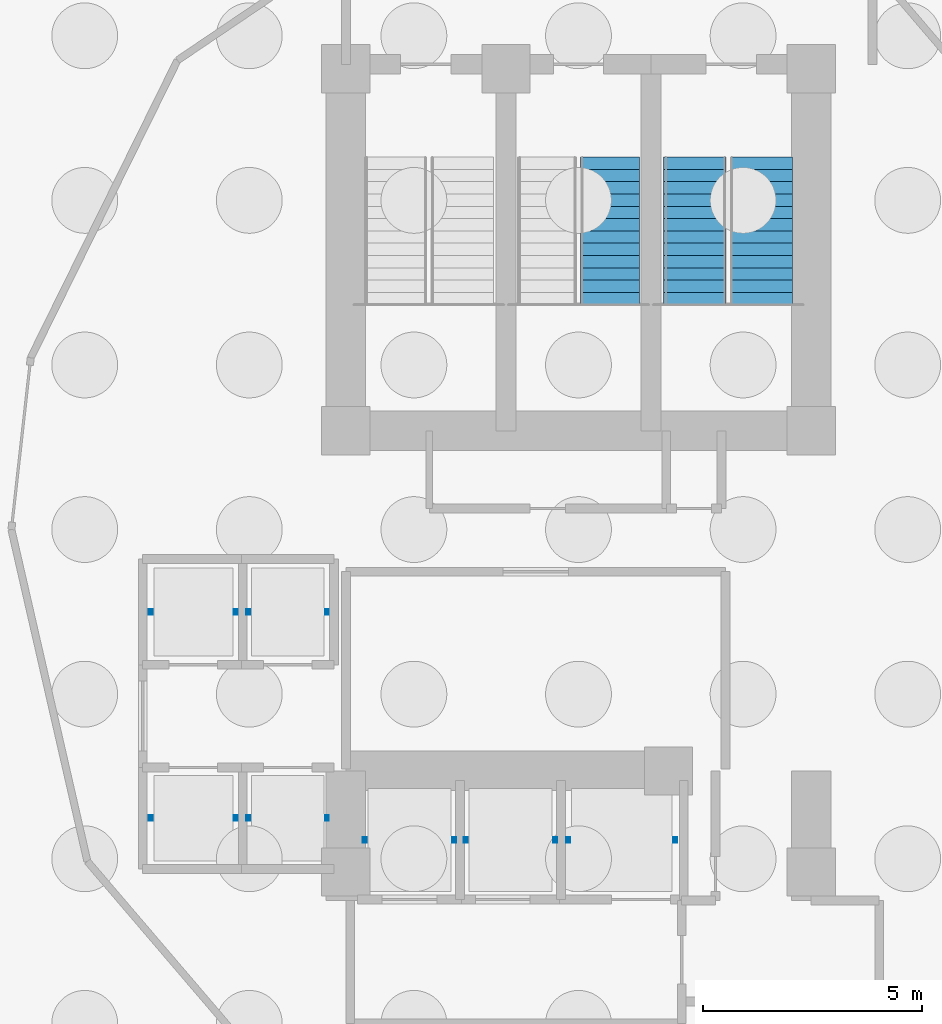
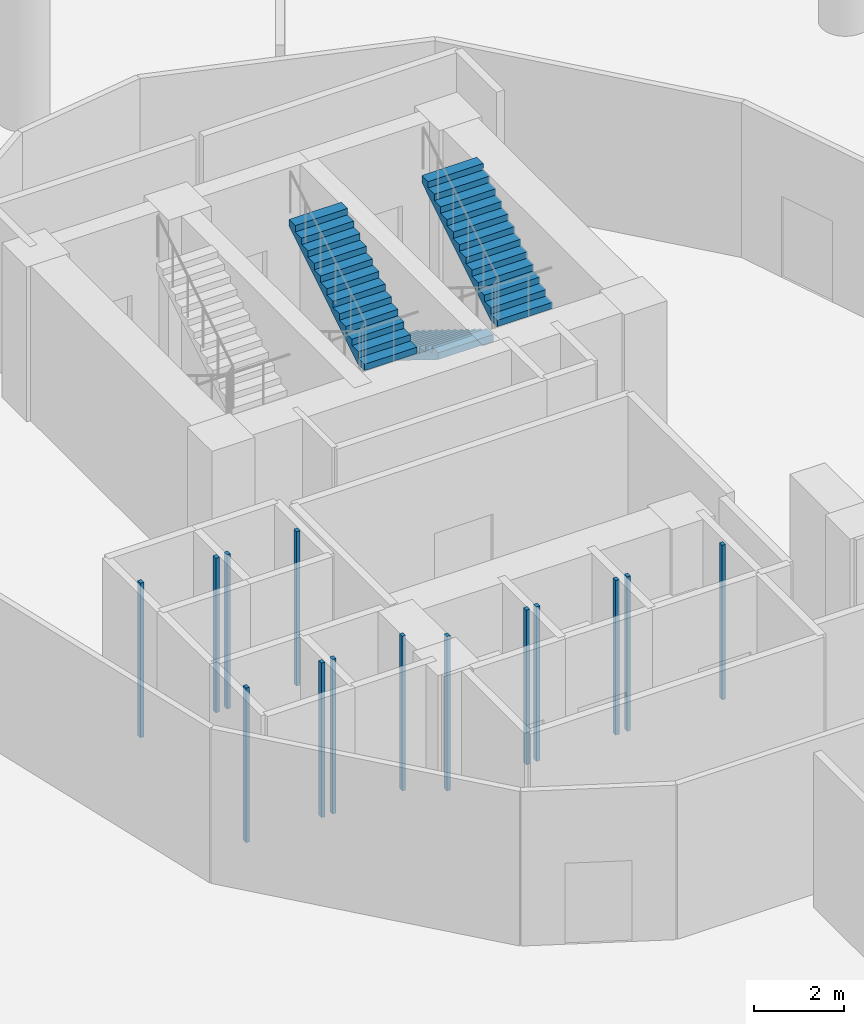
# One storey, part 6 of 9: 7 discrete accessories, 3 stair flights, 2 elements without a shape of their own.
"""IFC4 building model written with IfcOpenShell, lengths in metres."""

from ifc_helpers import new_model, si_unit, direction, frame, origin, origin_2d, place, context, subcontext, project, spatial, polyline, rectangle, outline, extrude, material, type_object, element, aggregate, save


model = new_model("IFC4")

# Units and contexts
model_context = context("Model", 3, precision=1e-05, world=origin(), true_north=direction((0.0, 1.0)))
body_context = subcontext(model_context, "Body", "Model", "MODEL_VIEW")
ifc_project = project(units=[si_unit("LENGTHUNIT", "METRE"), si_unit("AREAUNIT", "SQUARE_METRE"), si_unit("VOLUMEUNIT", "CUBIC_METRE"), si_unit("PLANEANGLEUNIT", "RADIAN"), si_unit("MASSUNIT", "GRAM", prefix="KILO")], contexts=[model_context])

# Site, building, storey
site_placement = place(None, origin())
site = spatial("IfcSite", under=ifc_project, at=site_placement, CompositionType="ELEMENT")
building_placement = place(site_placement, origin())
building = spatial("IfcBuilding", under=site, at=building_placement, Name="Nuhasar Tower", CompositionType="ELEMENT")
storey_placement = place(building_placement, frame((0.0, 0.0, -9.0)))
storey = spatial("IfcBuildingStorey", under=building, at=storey_placement, Name="B2", CompositionType="ELEMENT", Elevation=-9.0)

# Stair, stair flights
ifc_material_1 = material(Name="Concrete C45/55", Category="concrete")
stair_type_1 = type_object("IfcStairType", Name="STR-ST-02-2F-26R-1731", PredefinedType="HALF_TURN_STAIR", material=ifc_material_1)
stair_1_placement = place(storey_placement, origin())
stair_1 = element("IfcStair", 1, at=stair_1_placement, inside=storey, type_object=stair_type_1, Name="B2 Exit Stair ST-02", PredefinedType="HALF_TURN_STAIR")
stair_flight_type_1 = type_object("IfcStairFlightType", Name="SFL-ST-02-13R-1731", PredefinedType="STRAIGHT", material=ifc_material_1)
stair_flight_1_placement = place(storey_placement, frame((41.64990234375, 35.284912109375, 0.0), z_axis=(0.0, 0.0, 1.0), x_axis=(0.0, -1.0, 0.0)))
stair_flight_1 = element("IfcStairFlight", 2, at=stair_flight_1_placement, type_object=stair_flight_type_1, Name="ST-02 flight 1", NumberOfRisers=13, NumberOfTreads=12, PredefinedType="STRAIGHT", RiserHeight=0.173077, TreadLength=0.28, context=body_context, shape_type="SweptSolid", body=[
    extrude(outline(polyline([(0.0, 0.0), (0.0, 0.173095703125), (0.280029296875, 0.173095703125), (0.280029296875, 0.34619140625), (0.56005859375, 0.34619140625), (0.56005859375, 0.519287109375), (0.840087890625, 0.519287109375), (0.840087890625, 0.6923828125), (1.1201171875, 0.6923828125), (1.1201171875, 0.865478515625), (1.39990234375, 0.865478515625), (1.39990234375, 1.03857421875), (1.679931640625, 1.03857421875), (1.679931640625, 1.21142578125), (1.9599609375, 1.21142578125), (1.9599609375, 1.384521484375), (2.239990234375, 1.384521484375), (2.239990234375, 1.5576171875), (2.52001953125, 1.5576171875), (2.52001953125, 1.730712890625), (2.800048828125, 1.730712890625), (2.800048828125, 1.90380859375), (3.080078125, 1.90380859375), (3.080078125, 2.076904296875), (3.360107421875, 2.076904296875), (3.360107421875, 2.25), (3.360107421875, 1.888916015625), (0.30419921875, 0.0), (0.0, 0.0)])), frame((0.0, 0.7099609375, 0.0), z_axis=(0.0, -1.0, 0.0), x_axis=(1.0, 0.0, 0.0)), (0.0, 0.0, 1.0), 1.419921875),
])
stair_flight_2_placement = place(storey_placement, frame((43.169921875, 31.925048828125, 2.25), z_axis=(0.0, 0.0, 1.0), x_axis=(0.0, 1.0, 0.0)))
stair_flight_2 = element("IfcStairFlight", 3, at=stair_flight_2_placement, type_object=stair_flight_type_1, Name="ST-02 flight 2", NumberOfRisers=13, NumberOfTreads=12, PredefinedType="STRAIGHT", RiserHeight=0.173077, TreadLength=0.28, context=body_context, shape_type="SweptSolid", body=[
    extrude(outline(polyline([(0.0, 0.0), (0.0, 0.173095703125), (0.280029296875, 0.173095703125), (0.280029296875, 0.34619140625), (0.56005859375, 0.34619140625), (0.56005859375, 0.519287109375), (0.840087890625, 0.519287109375), (0.840087890625, 0.6923828125), (1.1201171875, 0.6923828125), (1.1201171875, 0.865478515625), (1.39990234375, 0.865478515625), (1.39990234375, 1.03857421875), (1.679931640625, 1.03857421875), (1.679931640625, 1.21142578125), (1.9599609375, 1.21142578125), (1.9599609375, 1.384521484375), (2.239990234375, 1.384521484375), (2.239990234375, 1.5576171875), (2.52001953125, 1.5576171875), (2.52001953125, 1.730712890625), (2.800048828125, 1.730712890625), (2.800048828125, 1.90380859375), (3.080078125, 1.90380859375), (3.080078125, 2.076904296875), (3.360107421875, 2.076904296875), (3.360107421875, 2.25), (3.360107421875, 1.888916015625), (0.30419921875, 0.0), (0.0, 0.0)])), frame((0.0, 0.7099609375, 0.0), z_axis=(0.0, -1.0, 0.0), x_axis=(1.0, 0.0, 0.0)), (0.0, 0.0, 1.0), 1.419921875),
])
aggregate(stair_1, [stair_flight_1, stair_flight_2])

# Stair, stair flight
stair_type_2 = type_object("IfcStairType", Name="STR-ST-03-2F-26R-1731", PredefinedType="HALF_TURN_STAIR", material=ifc_material_1)
stair_2_placement = place(storey_placement, origin())
stair_2 = element("IfcStair", 4, at=stair_2_placement, inside=storey, type_object=stair_type_2, Name="B2 Exit Stair ST-03", PredefinedType="HALF_TURN_STAIR")
stair_flight_type_2 = type_object("IfcStairFlightType", Name="SFL-ST-03-13R-1731", PredefinedType="STRAIGHT", material=ifc_material_1)
stair_flight_3_placement = place(storey_placement, frame((39.719970703125, 31.925048828125, 2.25), z_axis=(0.0, 0.0, 1.0), x_axis=(0.0, 1.0, 0.0)))
stair_flight_3 = element("IfcStairFlight", 5, at=stair_flight_3_placement, type_object=stair_flight_type_2, Name="ST-03 flight 2", NumberOfRisers=13, NumberOfTreads=12, PredefinedType="STRAIGHT", RiserHeight=0.173077, TreadLength=0.28, context=body_context, shape_type="SweptSolid", body=[
    extrude(outline(polyline([(0.0, 0.0), (0.0, 0.173095703125), (0.280029296875, 0.173095703125), (0.280029296875, 0.34619140625), (0.56005859375, 0.34619140625), (0.56005859375, 0.519287109375), (0.840087890625, 0.519287109375), (0.840087890625, 0.6923828125), (1.1201171875, 0.6923828125), (1.1201171875, 0.865478515625), (1.39990234375, 0.865478515625), (1.39990234375, 1.03857421875), (1.679931640625, 1.03857421875), (1.679931640625, 1.21142578125), (1.9599609375, 1.21142578125), (1.9599609375, 1.384521484375), (2.239990234375, 1.384521484375), (2.239990234375, 1.5576171875), (2.52001953125, 1.5576171875), (2.52001953125, 1.730712890625), (2.800048828125, 1.730712890625), (2.800048828125, 1.90380859375), (3.080078125, 1.90380859375), (3.080078125, 2.076904296875), (3.360107421875, 2.076904296875), (3.360107421875, 2.25), (3.360107421875, 1.888916015625), (0.30419921875, 0.0), (0.0, 0.0)])), frame((0.0, 0.669921875, 0.0), z_axis=(0.0, -1.0, 0.0), x_axis=(1.0, 0.0, 0.0)), (0.0, 0.0, 1.0), 1.340087890625),
])
aggregate(stair_2, [stair_flight_3])

# Discrete accessories
ifc_material_2 = material(Name="Steel S355", Category="steel")
discrete_accessory_type = type_object("IfcDiscreteAccessoryType", Name="ACC-LFT-RAIL", PredefinedType="USERDEFINED", material=ifc_material_2)
discrete_accessory_1_placement = place(storey_placement, frame((29.2548828125, 24.925048828125, 2.10009765625)))
element("IfcDiscreteAccessory", 6, at=discrete_accessory_1_placement, inside=storey, type_object=discrete_accessory_type, Name="Lift Guide Rails PL-L01", ObjectType="LIFT_GUIDE_RAIL", PredefinedType="USERDEFINED", context=body_context, shape_type="SweptSolid", body=[
    extrude(rectangle(XDim=0.090087890625, YDim=0.125, at=origin_2d()), frame((0.0, 0.0, -2.10009765625), z_axis=(0.0, 0.0, 1.0), x_axis=(1.0, 0.0, 0.0)), (0.0, 0.0, 1.0), 4.199951171875),
    extrude(rectangle(XDim=0.090087890625, YDim=0.125, at=origin_2d()), frame((1.940185546875, 0.0, -2.10009765625), z_axis=(0.0, 0.0, 1.0), x_axis=(1.0, 0.0, 0.0)), (0.0, 0.0, 1.0), 4.199951171875),
])
discrete_accessory_2_placement = place(storey_placement, frame((31.47998046875, 24.925048828125, 2.10009765625)))
element("IfcDiscreteAccessory", 7, at=discrete_accessory_2_placement, inside=storey, type_object=discrete_accessory_type, Name="Lift Guide Rails PL-L02", ObjectType="LIFT_GUIDE_RAIL", PredefinedType="USERDEFINED", context=body_context, shape_type="SweptSolid", body=[
    extrude(rectangle(XDim=0.090087890625, YDim=0.125, at=origin_2d()), frame((0.0, 0.0, -2.10009765625), z_axis=(0.0, 0.0, 1.0), x_axis=(1.0, 0.0, 0.0)), (0.0, 0.0, 1.0), 4.199951171875),
    extrude(rectangle(XDim=0.090087890625, YDim=0.125, at=origin_2d()), frame((1.7900390625, 0.0, -2.10009765625), z_axis=(0.0, 0.0, 1.0), x_axis=(1.0, 0.0, 0.0)), (0.0, 0.0, 1.0), 4.199951171875),
])
discrete_accessory_3_placement = place(storey_placement, frame((29.2548828125, 20.22509765625, 2.10009765625)))
element("IfcDiscreteAccessory", 8, at=discrete_accessory_3_placement, inside=storey, type_object=discrete_accessory_type, Name="Lift Guide Rails PL-L03", ObjectType="LIFT_GUIDE_RAIL", PredefinedType="USERDEFINED", context=body_context, shape_type="SweptSolid", body=[
    extrude(rectangle(XDim=0.090087890625, YDim=0.125, at=origin_2d()), frame((0.0, 0.0, -2.10009765625), z_axis=(0.0, 0.0, 1.0), x_axis=(1.0, 0.0, 0.0)), (0.0, 0.0, 1.0), 4.199951171875),
    extrude(rectangle(XDim=0.090087890625, YDim=0.125, at=origin_2d()), frame((1.940185546875, 0.0, -2.10009765625), z_axis=(0.0, 0.0, 1.0), x_axis=(1.0, 0.0, 0.0)), (0.0, 0.0, 1.0), 4.199951171875),
])
discrete_accessory_4_placement = place(storey_placement, frame((31.47998046875, 20.22509765625, 2.10009765625)))
element("IfcDiscreteAccessory", 9, at=discrete_accessory_4_placement, inside=storey, type_object=discrete_accessory_type, Name="Lift Guide Rails PL-L04", ObjectType="LIFT_GUIDE_RAIL", PredefinedType="USERDEFINED", context=body_context, shape_type="SweptSolid", body=[
    extrude(rectangle(XDim=0.090087890625, YDim=0.125, at=origin_2d()), frame((0.0, 0.0, -2.10009765625), z_axis=(0.0, 0.0, 1.0), x_axis=(1.0, 0.0, 0.0)), (0.0, 0.0, 1.0), 4.199951171875),
    extrude(rectangle(XDim=0.090087890625, YDim=0.125, at=origin_2d()), frame((1.7900390625, 0.0, -2.10009765625), z_axis=(0.0, 0.0, 1.0), x_axis=(1.0, 0.0, 0.0)), (0.0, 0.0, 1.0), 4.199951171875),
])
for number, where, name in (
    (10, (34.1298828125, 19.72509765625, 2.10009765625), "Lift Guide Rails FFL-01"),
    (11, (36.429931640625, 19.72509765625, 2.10009765625), "Lift Guide Rails FFL-02"),
):
    element("IfcDiscreteAccessory", number, at=place(storey_placement, frame(where)), inside=storey, type_object=discrete_accessory_type, Name=name, ObjectType="LIFT_GUIDE_RAIL", PredefinedType="USERDEFINED", context=body_context, shape_type="SweptSolid", body=[
        extrude(rectangle(XDim=0.090087890625, YDim=0.125, at=origin_2d()), frame((0.0, 0.0, -2.10009765625), z_axis=(0.0, 0.0, 1.0), x_axis=(1.0, 0.0, 0.0)), (0.0, 0.0, 1.0), 4.199951171875),
        extrude(rectangle(XDim=0.090087890625, YDim=0.125, at=origin_2d()), frame((2.0400390625, 0.0, -2.10009765625), z_axis=(0.0, 0.0, 1.0), x_axis=(1.0, 0.0, 0.0)), (0.0, 0.0, 1.0), 4.199951171875),
    ])
discrete_accessory_5_placement = place(storey_placement, frame((38.764892578125, 19.72509765625, 2.10009765625)))
element("IfcDiscreteAccessory", 12, at=discrete_accessory_5_placement, inside=storey, type_object=discrete_accessory_type, Name="Lift Guide Rails SVL-01", ObjectType="LIFT_GUIDE_RAIL", PredefinedType="USERDEFINED", context=body_context, shape_type="SweptSolid", body=[
    extrude(rectangle(XDim=0.090087890625, YDim=0.125, at=origin_2d()), frame((0.0, 0.0, -2.10009765625), z_axis=(0.0, 0.0, 1.0), x_axis=(1.0, 0.0, 0.0)), (0.0, 0.0, 1.0), 4.199951171875),
    extrude(rectangle(XDim=0.090087890625, YDim=0.125, at=origin_2d()), frame((2.440185546875, 0.0, -2.10009765625), z_axis=(0.0, 0.0, 1.0), x_axis=(1.0, 0.0, 0.0)), (0.0, 0.0, 1.0), 4.199951171875),
])

save(model, "model.ifc")
